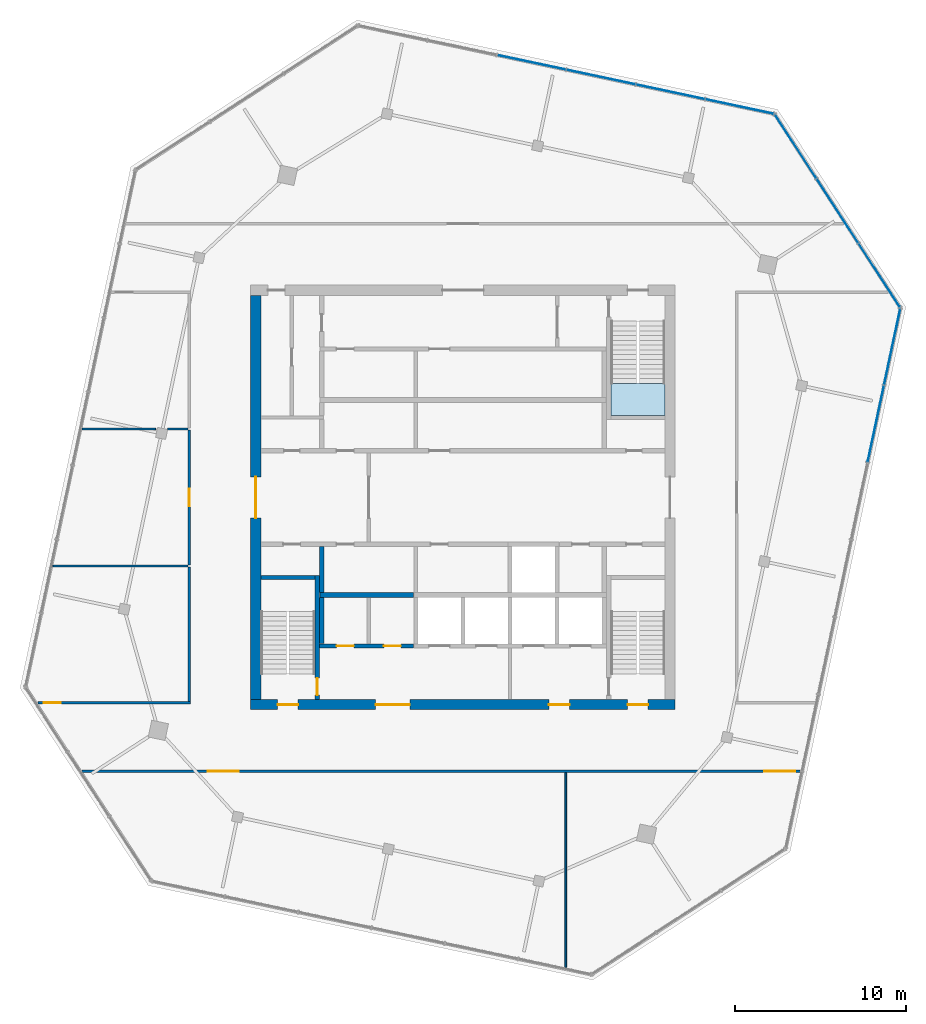
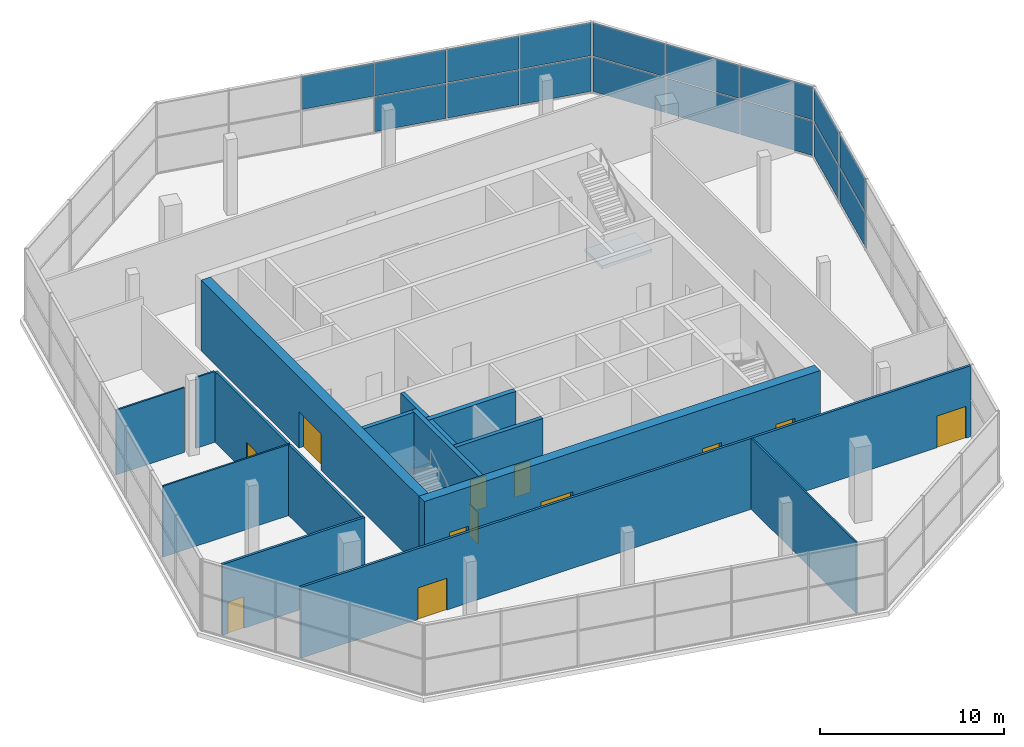
# One storey, part 8 of 11: 17 plates, 16 walls, 12 doors, 1 slab, 12 openings, 4 elements without a shape of their own.
"""IFC4 building model written with IfcOpenShell, lengths in metres."""

import ifcopenshell
import ifcopenshell.guid

model = None  # the IFC model being written
_history = None  # IfcOwnerHistory: only IFC2X3 demands one
_inside = {}  # id of a spatial element -> (the spatial element, [elements in it])
_under = {}  # id of a project, library or spatial element -> (it, [spatial elements below it])
_declared = {}  # id of a project -> (the project, [libraries it declares])
_typed = {}  # id of a type object -> (the type object, [elements of that type])
_made_of = {}  # id of a material, layer set ... -> (it, [elements and type objects made of it])


def new_model(schema):
    """Start an empty IFC model of exactly this schema.

    Asked for "IFC4X3", IfcOpenShell would pick the latest addendum, in which some entities
    have other attributes; the version numbers below select the first issue.
    IFC2X3 requires an IfcOwnerHistory on every rooted entity: one is made here for all.
    """
    global model, _history
    if schema == "IFC4X3":
        model = ifcopenshell.file(schema_version=(4, 3, 0, 0))
    else:
        model = ifcopenshell.file(schema=schema)
    _inside.clear()
    _under.clear()
    _declared.clear()
    _typed.clear()
    _made_of.clear()
    _history = None
    if model.schema == "IFC2X3":
        org = make("IfcOrganization", Name="unknown")
        user = make(
            "IfcPersonAndOrganization",
            ThePerson=make("IfcPerson", FamilyName="unknown"),
            TheOrganization=org,
        )
        app = make(
            "IfcApplication",
            ApplicationDeveloper=org,
            Version="unknown",
            ApplicationFullName="unknown",
            ApplicationIdentifier="unknown",
        )
        _history = make(
            "IfcOwnerHistory",
            OwningUser=user,
            OwningApplication=app,
            ChangeAction="ADDED",
            CreationDate=0,
        )
    return model


def make(cls, **values):
    """One entity of the class cls with the attributes given. An attribute that is None is left unset."""
    return model.create_entity(
        cls, **{name: value for name, value in values.items() if value is not None}
    )


def rooted(cls, **values):
    """An entity with a GlobalId (a new one), such as an element, a storey or a relation."""
    return make(cls, GlobalId=ifcopenshell.guid.new(), OwnerHistory=_history, **values)


def si_unit(unit_type, name, prefix=None):
    """IfcSIUnit, for example si_unit("LENGTHUNIT", "METRE", prefix="MILLI")."""
    return make("IfcSIUnit", UnitType=unit_type, Prefix=prefix, Name=name)


def assignment(units):
    """IfcUnitAssignment: the units of a project."""
    return None if units is None else make("IfcUnitAssignment", Units=units)


def point(xyz):
    """IfcCartesianPoint."""
    return None if xyz is None else make("IfcCartesianPoint", Coordinates=xyz)


def direction(xyz):
    """IfcDirection."""
    return None if xyz is None else make("IfcDirection", DirectionRatios=xyz)


def frame(location, z_axis=None, x_axis=None):
    """IfcAxis2Placement3D, a coordinate frame: its origin and axes. An axis left out is left unset."""
    return make(
        "IfcAxis2Placement3D",
        Location=point(location),
        Axis=direction(z_axis),
        RefDirection=direction(x_axis),
    )


def frame_2d(location, x_axis=None):
    """IfcAxis2Placement2D, a coordinate frame in the plane: its origin and x axis."""
    return make(
        "IfcAxis2Placement2D", Location=point(location), RefDirection=direction(x_axis)
    )


def origin():
    """The frame at (0, 0, 0) with its axes left unset."""
    return frame((0.0, 0.0, 0.0))


def origin_2d():
    """The frame at (0, 0) in the plane with its x axis left unset."""
    return frame_2d((0.0, 0.0))


def place(relative_to, where):
    """IfcLocalPlacement: puts the frame where relative to a parent placement (None: the world)."""
    return make(
        "IfcLocalPlacement", PlacementRelTo=relative_to, RelativePlacement=where
    )


def context(
    kind, dimensions, precision=None, world=None, true_north=None, identifier=None
):
    """IfcGeometricRepresentationContext, for example the 3D "Model" context."""
    return make(
        "IfcGeometricRepresentationContext",
        ContextIdentifier=identifier,
        ContextType=kind,
        CoordinateSpaceDimension=dimensions,
        Precision=precision,
        WorldCoordinateSystem=world,
        TrueNorth=true_north,
    )


def subcontext(parent, identifier, kind, view, scale=None):
    """IfcGeometricRepresentationSubContext, for example "Body" below "Model"."""
    return make(
        "IfcGeometricRepresentationSubContext",
        ContextIdentifier=identifier,
        ContextType=kind,
        ParentContext=parent,
        TargetScale=scale,
        TargetView=view,
    )


def project(units=None, contexts=None):
    """IfcProject with its units and contexts."""
    return rooted(
        "IfcProject",
        Name="project",
        RepresentationContexts=contexts,
        UnitsInContext=assignment(units),
    )


def spatial(cls, under=None, at=None, **own):
    """A site, building, storey or space (cls), placed at a placement, below another one or the project."""
    s = rooted(cls, ObjectPlacement=at, **own)
    if under is not None:
        _under.setdefault(under.id(), (under, []))[1].append(s)
    return s


def polyline(points):
    """IfcPolyline through the points."""
    return make("IfcPolyline", Points=[point(p) for p in points])


def profile(cls, at=None, kind="AREA", **sizes):
    """A parametric profile (cls). Its sizes go by their IFC names, for example OverallWidth=200.0."""
    return make(cls, ProfileType=kind, Position=at, **sizes)


def rectangle(**sizes):
    """IfcRectangleProfileDef."""
    return profile("IfcRectangleProfileDef", **sizes)


def outline(outer, holes=None, kind="AREA"):
    """IfcArbitraryClosedProfileDef: a profile drawn as a closed curve; with holes, ...WithVoids."""
    if holes is None:
        return make("IfcArbitraryClosedProfileDef", ProfileType=kind, OuterCurve=outer)
    return make(
        "IfcArbitraryProfileDefWithVoids",
        ProfileType=kind,
        OuterCurve=outer,
        InnerCurves=holes,
    )


def extrude(swept, where, along, depth):
    """IfcExtrudedAreaSolid: the profile swept, set in the frame where, extruded along a direction by depth."""
    return make(
        "IfcExtrudedAreaSolid",
        SweptArea=swept,
        Position=where,
        ExtrudedDirection=direction(along),
        Depth=depth,
    )


def shape(context_of_items, identifier, shape_type, items):
    """IfcShapeRepresentation: the items that make up one representation, for example the "Body"."""
    return make(
        "IfcShapeRepresentation",
        ContextOfItems=context_of_items,
        RepresentationIdentifier=identifier,
        RepresentationType=shape_type,
        Items=items,
    )


def material(Name=None, Category=None):
    """IfcMaterial."""
    return make("IfcMaterial", Name=Name, Category=Category)


def layer(
    of_material, thickness, ventilated=None, Name=None, Category=None, Priority=None
):
    """IfcMaterialLayer: one layer of a wall or slab, of a material (None: an air gap)."""
    return make(
        "IfcMaterialLayer",
        Material=of_material,
        LayerThickness=thickness,
        IsVentilated=ventilated,
        Name=Name,
        Category=Category,
        Priority=Priority,
    )


def layer_set(layers, Name=None):
    """IfcMaterialLayerSet."""
    return make("IfcMaterialLayerSet", MaterialLayers=layers, LayerSetName=Name)


def made_of(thing, what):
    """Note that an element or type object is made of a material, layer set ...; save() writes the relation."""
    if what is not None:
        _made_of.setdefault(what.id(), (what, []))[1].append(thing)
    return thing


def type_object(cls, material=None, **own):
    """A type object (cls), such as IfcWallType, which elements share."""
    return made_of(rooted(cls, **own), material)


def element(
    cls,
    number,
    at=None,
    inside=None,
    cuts=None,
    type_object=None,
    material=None,
    context=None,
    identifier="Body",
    shape_type=None,
    held_by="IfcProductDefinitionShape",
    body=None,
    shapes=None,
    **own,
):
    """One element of the class cls, such as IfcWall. Its Tag is "e" and its number.

    at: its placement. inside: the storey or other place that contains it. cuts: it is an
    opening in that element (IfcRelVoidsElement). A single representation is given by context,
    identifier, shape_type and body (its items); several are given by shapes. held_by: the class
    of the entity that holds the representations. save() writes the other relations.
    """
    e = rooted(cls, Tag="e%d" % number, ObjectPlacement=at, **own)
    if body is not None:
        shapes = [shape(context, identifier, shape_type, body)]
    if shapes is not None:
        e.Representation = make(held_by, Representations=shapes)
    if inside is not None:
        _inside.setdefault(inside.id(), (inside, []))[1].append(e)
    if cuts is not None:
        rooted(
            "IfcRelVoidsElement", RelatingBuildingElement=cuts, RelatedOpeningElement=e
        )
    if type_object is not None:
        _typed.setdefault(type_object.id(), (type_object, []))[1].append(e)
    return made_of(e, material)


def fill(opening, filler):
    """IfcRelFillsElement: the door or window that sits in an opening."""
    return rooted(
        "IfcRelFillsElement",
        RelatingOpeningElement=opening,
        RelatedBuildingElement=filler,
    )


def aggregate(whole, parts):
    """IfcRelAggregates: a whole, such as a stair, and the parts it consists of."""
    return rooted("IfcRelAggregates", RelatingObject=whole, RelatedObjects=parts)


def save(model, path):
    """Write the relations noted so far, then the file.

    IfcRelAggregates (storeys below a building ...), IfcRelContainedInSpatialStructure (elements
    in a storey), IfcRelDefinesByType, IfcRelAssociatesMaterial and IfcRelDeclares: one each for
    every whole, place, type object, material and project.
    """
    for whole, parts in _under.values():
        aggregate(whole, parts)
    for where, things in _inside.values():
        rooted(
            "IfcRelContainedInSpatialStructure",
            RelatedElements=things,
            RelatingStructure=where,
        )
    for kind, things in _typed.values():
        rooted("IfcRelDefinesByType", RelatedObjects=things, RelatingType=kind)
    for what, things in _made_of.values():
        rooted("IfcRelAssociatesMaterial", RelatedObjects=things, RelatingMaterial=what)
    for by, libraries in _declared.values():
        rooted("IfcRelDeclares", RelatingContext=by, RelatedDefinitions=libraries)
    model.write(path)


model = new_model("IFC4")

# Units and contexts
model_context = context("Model", 3, precision=1e-05, world=origin(), true_north=direction((0.0, 1.0)))
body_context = subcontext(model_context, "Body", "Model", "MODEL_VIEW")
ifc_project = project(units=[si_unit("LENGTHUNIT", "METRE"), si_unit("AREAUNIT", "SQUARE_METRE"), si_unit("VOLUMEUNIT", "CUBIC_METRE"), si_unit("PLANEANGLEUNIT", "RADIAN"), si_unit("MASSUNIT", "GRAM", prefix="KILO")], contexts=[model_context])

# Site, building, storey
site_placement = place(None, origin())
site = spatial("IfcSite", under=ifc_project, at=site_placement, CompositionType="ELEMENT")
building_placement = place(site_placement, origin())
building = spatial("IfcBuilding", under=site, at=building_placement, Name="Dilmun Exchange Tower", CompositionType="ELEMENT")
storey_placement = place(building_placement, frame((0.0, 0.0, 363.10009765625)))
storey = spatial("IfcBuildingStorey", under=building, at=storey_placement, Name="Crown L85", CompositionType="ELEMENT", Elevation=363.10009765625)

# Stair, slab
ifc_material_1 = material(Name="Concrete C40/50", Category="concrete")
stair_type = type_object("IfcStairType", Name="Exit stair 1500 half-turn", PredefinedType="HALF_TURN_STAIR", material=ifc_material_1)
stair_placement = place(storey_placement, origin())
stair = element("IfcStair", 1, at=stair_placement, inside=storey, type_object=stair_type, Name="Crown L85 Protected exit stair ST1", PredefinedType="HALF_TURN_STAIR")
ifc_layer_1 = layer(ifc_material_1, 0.199951171875)
ifc_layer_set_1 = layer_set([ifc_layer_1], Name="Concrete C40/50")
slab_type = type_object("IfcSlabType", Name="Exit stair landing 200", PredefinedType="LANDING", material=ifc_layer_set_1)
slab_placement = place(storey_placement, frame((0.0, 0.0, 2.2998046875)))
slab = element("IfcSlab", 2, at=slab_placement, type_object=slab_type, Name="ST1 landing 1", PredefinedType="LANDING", context=body_context, shape_type="SweptSolid", body=[
    extrude(outline(polyline([(8.64990234375, 6.659912109375), (8.64990234375, 4.800048828125), (11.800048828125, 4.800048828125), (11.800048828125, 6.659912109375), (8.64990234375, 6.659912109375)])), origin(), (0.0, 0.0, 1.0), 0.2001953125),
])
aggregate(stair, [slab])

# Curtain wall, plates
ifc_material_2 = material(Name="Anodised aluminium and clear glass", Category="aluminium")
curtain_wall_type = type_object("IfcCurtainWallType", Name="Sky garden glazing", PredefinedType="NOTDEFINED", material=ifc_material_2)
curtain_wall_1_placement = place(storey_placement, origin())
curtain_wall_1 = element("IfcCurtainWall", 3, at=curtain_wall_1_placement, inside=storey, type_object=curtain_wall_type, Name="Sky garden glazing run SG3", PredefinedType="NOTDEFINED")
ifc_material_3 = material(Name="Clear glass", Category="glass")
ifc_layer_2 = layer(ifc_material_3, 0.031982421875)
ifc_layer_set_2 = layer_set([ifc_layer_2], Name="Clear glass")
plate_type = type_object("IfcPlateType", Name="Sky garden glazing glass panel 32", PredefinedType="CURTAIN_PANEL", material=ifc_layer_set_2)
plate_1_placement = place(storey_placement, frame((24.122314453125, 4.30615234375, 0.06982421875), z_axis=(0.0, 0.0, 1.0), x_axis=(0.207913452722, 0.978147226228, 0.0)))
plate_1 = element("IfcPlate", 4, at=plate_1_placement, type_object=plate_type, Name="SG3 panel 6.1", PredefinedType="CURTAIN_PANEL", context=body_context, shape_type="SweptSolid", body=[
    extrude(rectangle(XDim=4.543701171875, YDim=0.031982421875, at=origin_2d()), origin(), (0.0, 0.0, 1.0), 2.294921875),
])
plate_2_placement = place(storey_placement, frame((24.122314453125, 4.30615234375, 2.43505859375), z_axis=(0.0, 0.0, 1.0), x_axis=(0.207913452722, 0.978147226228, 0.0)))
plate_2 = element("IfcPlate", 5, at=plate_2_placement, type_object=plate_type, Name="SG3 panel 6.2", PredefinedType="CURTAIN_PANEL", context=body_context, shape_type="SweptSolid", body=[
    extrude(rectangle(XDim=4.543701171875, YDim=0.031982421875, at=origin_2d()), origin(), (0.0, 0.0, 1.0), 2.195068359375),
])
plate_3_placement = place(storey_placement, frame((25.078125, 8.8017578125, 0.06982421875), z_axis=(0.0, 0.0, 1.0), x_axis=(0.207913452722, 0.978147226228, 0.0)))
plate_3 = element("IfcPlate", 6, at=plate_3_placement, type_object=plate_type, Name="SG3 panel 7.1", PredefinedType="CURTAIN_PANEL", context=body_context, shape_type="SweptSolid", body=[
    extrude(rectangle(XDim=4.508544921875, YDim=0.031982421875, at=origin_2d()), origin(), (0.0, 0.0, 1.0), 2.294921875),
])
plate_4_placement = place(storey_placement, frame((25.078125, 8.8017578125, 2.43505859375), z_axis=(0.0, 0.0, 1.0), x_axis=(0.207913452722, 0.978147226228, 0.0)))
plate_4 = element("IfcPlate", 7, at=plate_4_placement, type_object=plate_type, Name="SG3 panel 7.2", PredefinedType="CURTAIN_PANEL", context=body_context, shape_type="SweptSolid", body=[
    extrude(rectangle(XDim=4.508544921875, YDim=0.031982421875, at=origin_2d()), origin(), (0.0, 0.0, 1.0), 2.195068359375),
])
aggregate(curtain_wall_1, [plate_1, plate_2, plate_3, plate_4])

curtain_wall_2_placement = place(storey_placement, origin())
curtain_wall_2 = element("IfcCurtainWall", 8, at=curtain_wall_2_placement, inside=storey, type_object=curtain_wall_type, Name="Sky garden glazing run SG4", PredefinedType="NOTDEFINED")
plate_5_placement = place(storey_placement, frame((24.325439453125, 12.978271484375, 0.06982421875), z_axis=(0.0, 0.0, 1.0), x_axis=(-0.544644325751, 0.838667132077, 0.0)))
plate_5 = element("IfcPlate", 9, at=plate_5_placement, type_object=plate_type, Name="SG4 panel 1.1", PredefinedType="CURTAIN_PANEL", context=body_context, shape_type="SweptSolid", body=[
    extrude(rectangle(XDim=4.39794921875, YDim=0.031982421875, at=origin_2d()), origin(), (0.0, 0.0, 1.0), 2.294921875),
])
plate_6_placement = place(storey_placement, frame((24.325439453125, 12.978271484375, 2.43505859375), z_axis=(0.0, 0.0, 1.0), x_axis=(-0.544644325751, 0.838667132077, 0.0)))
plate_6 = element("IfcPlate", 10, at=plate_6_placement, type_object=plate_type, Name="SG4 panel 1.2", PredefinedType="CURTAIN_PANEL", context=body_context, shape_type="SweptSolid", body=[
    extrude(rectangle(XDim=4.39794921875, YDim=0.031982421875, at=origin_2d()), origin(), (0.0, 0.0, 1.0), 2.195068359375),
])
plate_7_placement = place(storey_placement, frame((21.882568359375, 16.739990234375, 0.06982421875), z_axis=(0.0, 0.0, 1.0), x_axis=(-0.544644325751, 0.838667132077, 0.0)))
plate_7 = element("IfcPlate", 11, at=plate_7_placement, type_object=plate_type, Name="SG4 panel 2.1", PredefinedType="CURTAIN_PANEL", context=body_context, shape_type="SweptSolid", body=[
    extrude(rectangle(XDim=4.432861328125, YDim=0.031982421875, at=origin_2d()), origin(), (0.0, 0.0, 1.0), 2.294921875),
])
plate_8_placement = place(storey_placement, frame((21.882568359375, 16.739990234375, 2.43505859375), z_axis=(0.0, 0.0, 1.0), x_axis=(-0.544644325751, 0.838667132077, 0.0)))
plate_8 = element("IfcPlate", 12, at=plate_8_placement, type_object=plate_type, Name="SG4 panel 2.2", PredefinedType="CURTAIN_PANEL", context=body_context, shape_type="SweptSolid", body=[
    extrude(rectangle(XDim=4.432861328125, YDim=0.031982421875, at=origin_2d()), origin(), (0.0, 0.0, 1.0), 2.195068359375),
])
plate_9_placement = place(storey_placement, frame((19.439697265625, 20.501953125, 0.06982421875), z_axis=(0.0, 0.0, 1.0), x_axis=(-0.544644325751, 0.838667132077, 0.0)))
plate_9 = element("IfcPlate", 13, at=plate_9_placement, type_object=plate_type, Name="SG4 panel 3.1", PredefinedType="CURTAIN_PANEL", context=body_context, shape_type="SweptSolid", body=[
    extrude(rectangle(XDim=4.39794921875, YDim=0.031982421875, at=origin_2d()), origin(), (0.0, 0.0, 1.0), 2.294921875),
])
plate_10_placement = place(storey_placement, frame((19.439697265625, 20.501953125, 2.43505859375), z_axis=(0.0, 0.0, 1.0), x_axis=(-0.544644325751, 0.838667132077, 0.0)))
plate_10 = element("IfcPlate", 14, at=plate_10_placement, type_object=plate_type, Name="SG4 panel 3.2", PredefinedType="CURTAIN_PANEL", context=body_context, shape_type="SweptSolid", body=[
    extrude(rectangle(XDim=4.39794921875, YDim=0.031982421875, at=origin_2d()), origin(), (0.0, 0.0, 1.0), 2.195068359375),
])
aggregate(curtain_wall_2, [plate_5, plate_6, plate_7, plate_8, plate_9, plate_10])

curtain_wall_3_placement = place(storey_placement, origin())
curtain_wall_3 = element("IfcCurtainWall", 15, at=curtain_wall_3_placement, inside=storey, type_object=curtain_wall_type, Name="Sky garden glazing run SG5", PredefinedType="NOTDEFINED")
plate_11_placement = place(storey_placement, frame((16.158447265625, 22.839599609375, 0.06982421875), z_axis=(0.0, 0.0, 1.0), x_axis=(-0.978147909945, 0.207910236087, 0.0)))
plate_11 = element("IfcPlate", 16, at=plate_11_placement, type_object=plate_type, Name="SG5 panel 1.1", PredefinedType="CURTAIN_PANEL", context=body_context, shape_type="SweptSolid", body=[
    extrude(rectangle(XDim=4.0419921875, YDim=0.031982421875, at=origin_2d()), origin(), (0.0, 0.0, 1.0), 2.294921875),
])
plate_12_placement = place(storey_placement, frame((16.158447265625, 22.839599609375, 2.43505859375), z_axis=(0.0, 0.0, 1.0), x_axis=(-0.978147909945, 0.207910236087, 0.0)))
plate_12 = element("IfcPlate", 17, at=plate_12_placement, type_object=plate_type, Name="SG5 panel 1.2", PredefinedType="CURTAIN_PANEL", context=body_context, shape_type="SweptSolid", body=[
    extrude(rectangle(XDim=4.0419921875, YDim=0.031982421875, at=origin_2d()), origin(), (0.0, 0.0, 1.0), 2.195068359375),
])
plate_13_placement = place(storey_placement, frame((12.119384765625, 23.697998046875, 0.06982421875), z_axis=(0.0, 0.0, 1.0), x_axis=(-0.978147909945, 0.207910236087, 0.0)))
plate_13 = element("IfcPlate", 18, at=plate_13_placement, type_object=plate_type, Name="SG5 panel 2.1", PredefinedType="CURTAIN_PANEL", context=body_context, shape_type="SweptSolid", body=[
    extrude(rectangle(XDim=4.076904296875, YDim=0.031982421875, at=origin_2d()), origin(), (0.0, 0.0, 1.0), 2.294921875),
])
plate_14_placement = place(storey_placement, frame((12.119384765625, 23.697998046875, 2.43505859375), z_axis=(0.0, 0.0, 1.0), x_axis=(-0.978147909945, 0.207910236087, 0.0)))
plate_14 = element("IfcPlate", 19, at=plate_14_placement, type_object=plate_type, Name="SG5 panel 2.2", PredefinedType="CURTAIN_PANEL", context=body_context, shape_type="SweptSolid", body=[
    extrude(rectangle(XDim=4.076904296875, YDim=0.031982421875, at=origin_2d()), origin(), (0.0, 0.0, 1.0), 2.195068359375),
])
plate_15_placement = place(storey_placement, frame((8.06298828125, 24.560302734375, 0.06982421875), z_axis=(0.0, 0.0, 1.0), x_axis=(-0.978147909945, 0.207910236087, 0.0)))
plate_15 = element("IfcPlate", 20, at=plate_15_placement, type_object=plate_type, Name="SG5 panel 3.1", PredefinedType="CURTAIN_PANEL", context=body_context, shape_type="SweptSolid", body=[
    extrude(rectangle(XDim=4.076904296875, YDim=0.031982421875, at=origin_2d()), origin(), (0.0, 0.0, 1.0), 2.294921875),
])
plate_16_placement = place(storey_placement, frame((8.06298828125, 24.560302734375, 2.43505859375), z_axis=(0.0, 0.0, 1.0), x_axis=(-0.978147909945, 0.207910236087, 0.0)))
plate_16 = element("IfcPlate", 21, at=plate_16_placement, type_object=plate_type, Name="SG5 panel 3.2", PredefinedType="CURTAIN_PANEL", context=body_context, shape_type="SweptSolid", body=[
    extrude(rectangle(XDim=4.076904296875, YDim=0.031982421875, at=origin_2d()), origin(), (0.0, 0.0, 1.0), 2.195068359375),
])
plate_17_placement = place(storey_placement, frame((4.0068359375, 25.42236328125, 2.43505859375), z_axis=(0.0, 0.0, 1.0), x_axis=(-0.978147909945, 0.207910236087, 0.0)))
plate_17 = element("IfcPlate", 22, at=plate_17_placement, type_object=plate_type, Name="SG5 panel 4.2", PredefinedType="CURTAIN_PANEL", context=body_context, shape_type="SweptSolid", body=[
    extrude(rectangle(XDim=4.076904296875, YDim=0.031982421875, at=origin_2d()), origin(), (0.0, 0.0, 1.0), 2.195068359375),
])
aggregate(curtain_wall_3, [plate_11, plate_12, plate_13, plate_14, plate_15, plate_16, plate_17])

# Wall, openings, doors
ifc_layer_3 = layer(ifc_material_1, 0.25)
ifc_layer_set_3 = layer_set([ifc_layer_3], Name="Concrete C40/50")
wall_type_1 = type_object("IfcWallType", Name="Core partition wall 250", PredefinedType="PARTITIONING", material=ifc_layer_set_3)
wall_1_placement = place(storey_placement, frame((-8.3701171875, -8.675048828125, 0.0), z_axis=(0.0, 0.0, 1.0), x_axis=(1.0, 0.0, 0.0)))
wall_1 = element("IfcWall", 23, at=wall_1_placement, inside=storey, type_object=wall_type_1, Name="Crown L85 core partition wall 02", PredefinedType="PARTITIONING", context=body_context, shape_type="SweptSolid", body=[
    extrude(rectangle(XDim=5.490234375, YDim=0.25, at=frame_2d((2.7451171875, 0.0))), origin(), (0.0, 0.0, 1.0), 4.699951171875),
])
opening_1_placement = place(wall_1_placement, frame((0.9951171875, 0.0, 0.0)))
opening_1 = element("IfcOpeningElement", 24, at=opening_1_placement, cuts=wall_1, Name="Opening CD4", PredefinedType="OPENING", context=body_context, shape_type="SweptSolid", body=[
    extrude(rectangle(XDim=1.0, YDim=2.10009765625, at=frame_2d((0.5, 1.050048828125))), frame((0.0, 0.135009765625, 0.0), z_axis=(0.0, -1.0, 0.0), x_axis=(1.0, 0.0, 0.0)), (0.0, 0.0, 1.0), 0.27001953125),
])
opening_2_placement = place(wall_1_placement, frame((3.7451171875, 0.0, 0.0)))
opening_2 = element("IfcOpeningElement", 25, at=opening_2_placement, cuts=wall_1, Name="Opening CD4", PredefinedType="OPENING", context=body_context, shape_type="SweptSolid", body=[
    extrude(rectangle(XDim=1.0, YDim=2.10009765625, at=frame_2d((0.5, 1.050048828125))), frame((0.0, 0.135009765625, 0.0), z_axis=(0.0, -1.0, 0.0), x_axis=(1.0, 0.0, 0.0)), (0.0, 0.0, 1.0), 0.27001953125),
])
ifc_material_4 = material(Name="Fire-rated steel door set", Category="steel")
door_type_1 = type_object("IfcDoorType", Name="Core room door 1000x2100", OperationType="SINGLE_SWING_LEFT", PredefinedType="DOOR", material=ifc_material_4)
door_1_placement = place(opening_1_placement, origin())
door_1 = element("IfcDoor", 26, at=door_1_placement, inside=storey, type_object=door_type_1, Name="Crown L85 door Male WC", OperationType="SINGLE_SWING_RIGHT", OverallHeight=2.10009765625, OverallWidth=1.0, PredefinedType="DOOR", context=body_context, shape_type="SweptSolid", body=[
    extrude(rectangle(XDim=1.0, YDim=2.10009765625, at=frame_2d((0.5, 1.050048828125))), frame((0.0, 0.02490234375, 0.0), z_axis=(0.0, -1.0, 0.0), x_axis=(1.0, 0.0, 0.0)), (0.0, 0.0, 1.0), 0.050048828125),
])
fill(opening_1, door_1)
door_2_placement = place(opening_2_placement, origin())
door_2 = element("IfcDoor", 27, at=door_2_placement, inside=storey, type_object=door_type_1, Name="Crown L85 door Female WC", OperationType="SINGLE_SWING_RIGHT", OverallHeight=2.10009765625, OverallWidth=1.0, PredefinedType="DOOR", context=body_context, shape_type="SweptSolid", body=[
    extrude(rectangle(XDim=1.0, YDim=2.10009765625, at=frame_2d((0.5, 1.050048828125))), frame((0.0, 0.02490234375, 0.0), z_axis=(0.0, -1.0, 0.0), x_axis=(1.0, 0.0, 0.0)), (0.0, 0.0, 1.0), 0.050048828125),
])
fill(opening_2, door_2)

# Walls
for number, where, z_axis, x_axis, name in (
    (28, (-8.25, -8.544921875, 0.0), (0.0, 0.0, 1.0), (0.0, 1.0, 0.0), "Crown L85 core partition wall 03"),
    (29, (-8.25, -5.544921875, 0.0), (0.0, 0.0, 1.0), (0.0, 1.0, 0.0), "Crown L85 core partition wall 06"),
):
    element("IfcWall", number, at=place(storey_placement, frame(where, z_axis=z_axis, x_axis=x_axis)), inside=storey, type_object=wall_type_1, Name=name, PredefinedType="PARTITIONING", context=body_context, shape_type="SweptSolid", body=[
        extrude(rectangle(XDim=2.68994140625, YDim=0.25, at=frame_2d((1.344970703125, 0.0))), origin(), (0.0, 0.0, 1.0), 4.699951171875),
    ])
ifc_layer_4 = layer(ifc_material_1, 0.300048828125)
ifc_layer_set_4 = layer_set([ifc_layer_4], Name="Concrete C40/50")
wall_type_2 = type_object("IfcWallType", Name="Core partition wall 300", PredefinedType="PARTITIONING", material=ifc_layer_set_4)
wall_2_placement = place(storey_placement, frame((-8.35009765625, -5.699951171875, 0.0), z_axis=(0.0, 0.0, 1.0), x_axis=(1.0, 0.0, 0.0)))
element("IfcWall", 30, at=wall_2_placement, inside=storey, type_object=wall_type_2, Name="Crown L85 core partition wall 05", PredefinedType="PARTITIONING", context=body_context, shape_type="SweptSolid", body=[
    extrude(rectangle(XDim=5.47021484375, YDim=0.300048828125, at=frame_2d((2.735107421875, 0.0))), origin(), (0.0, 0.0, 1.0), 4.699951171875),
])

# Wall, openings, doors
ifc_material_5 = material(Name="Concrete C50/60", Category="concrete")
ifc_layer_5 = layer(ifc_material_5, 0.60009765625)
ifc_layer_set_5 = layer_set([ifc_layer_5], Name="Concrete C50/60")
wall_type_3 = type_object("IfcWallType", Name="Core shear wall 600 Concrete C50/60", PredefinedType="SHEAR", material=ifc_layer_set_5)
wall_3_placement = place(storey_placement, frame((-12.39990234375, -12.10009765625, 0.0), z_axis=(0.0, 0.0, 1.0), x_axis=(1.0, 0.0, 0.0)))
wall_3 = element("IfcWall", 31, at=wall_3_placement, inside=storey, type_object=wall_type_3, Name="Crown L85 core shear wall S", PredefinedType="SHEAR", context=body_context, shape_type="SweptSolid", body=[
    extrude(rectangle(XDim=24.7998046875, YDim=0.60009765625, at=frame_2d((12.39990234375, 0.0))), origin(), (0.0, 0.0, 1.0), 4.699951171875),
])
opening_3_placement = place(wall_3_placement, frame((7.300048828125, 0.0, 0.0)))
opening_3 = element("IfcOpeningElement", 32, at=opening_3_placement, cuts=wall_3, Name="Opening CD2", PredefinedType="OPENING", context=body_context, shape_type="SweptSolid", body=[
    extrude(rectangle(XDim=2.0, YDim=2.10009765625, at=frame_2d((1.0, 1.050048828125))), frame((0.0, 0.31005859375, 0.0), z_axis=(0.0, -1.0, 0.0), x_axis=(1.0, 0.0, 0.0)), (0.0, 0.0, 1.0), 0.6201171875),
])
opening_4_placement = place(wall_3_placement, frame((17.425048828125, 0.0, 0.0)))
opening_4 = element("IfcOpeningElement", 33, at=opening_4_placement, cuts=wall_3, Name="Opening CD3", PredefinedType="OPENING", context=body_context, shape_type="SweptSolid", body=[
    extrude(rectangle(XDim=1.199951171875, YDim=2.10009765625, at=frame_2d((0.60009765625, 1.050048828125))), frame((0.0, 0.31005859375, 0.0), z_axis=(0.0, -1.0, 0.0), x_axis=(1.0, 0.0, 0.0)), (0.0, 0.0, 1.0), 0.6201171875),
])
opening_5_placement = place(wall_3_placement, frame((1.574951171875, 0.0, 0.0)))
opening_5 = element("IfcOpeningElement", 34, at=opening_5_placement, cuts=wall_3, Name="Opening CD3", PredefinedType="OPENING", context=body_context, shape_type="SweptSolid", body=[
    extrude(rectangle(XDim=1.199951171875, YDim=2.10009765625, at=frame_2d((0.60009765625, 1.050048828125))), frame((0.0, 0.31005859375, 0.0), z_axis=(0.0, -1.0, 0.0), x_axis=(1.0, 0.0, 0.0)), (0.0, 0.0, 1.0), 0.6201171875),
])
opening_6_placement = place(wall_3_placement, frame((22.02490234375, 0.0, 0.0)))
opening_6 = element("IfcOpeningElement", 35, at=opening_6_placement, cuts=wall_3, Name="Opening CD3", PredefinedType="OPENING", context=body_context, shape_type="SweptSolid", body=[
    extrude(rectangle(XDim=1.199951171875, YDim=2.10009765625, at=frame_2d((0.60009765625, 1.050048828125))), frame((0.0, 0.31005859375, 0.0), z_axis=(0.0, -1.0, 0.0), x_axis=(1.0, 0.0, 0.0)), (0.0, 0.0, 1.0), 0.6201171875),
])
door_type_2 = type_object("IfcDoorType", Name="Core service door 2000x2100", OperationType="DOUBLE_DOOR_DOUBLE_SWING", PredefinedType="DOOR", material=ifc_material_4)
door_3_placement = place(opening_3_placement, origin())
door_3 = element("IfcDoor", 36, at=door_3_placement, inside=storey, type_object=door_type_2, Name="Crown L85 door South service lobby", OperationType="SINGLE_SWING_LEFT", OverallHeight=2.10009765625, OverallWidth=2.0, PredefinedType="DOOR", context=body_context, shape_type="SweptSolid", body=[
    extrude(rectangle(XDim=2.0, YDim=2.10009765625, at=frame_2d((1.0, 1.050048828125))), frame((0.0, 0.02490234375, 0.0), z_axis=(0.0, -1.0, 0.0), x_axis=(1.0, 0.0, 0.0)), (0.0, 0.0, 1.0), 0.050048828125),
])
fill(opening_3, door_3)
door_type_3 = type_object("IfcDoorType", Name="Stair exit door 1200x2100", OperationType="SINGLE_SWING_LEFT", PredefinedType="DOOR", material=ifc_material_4)
door_4_placement = place(opening_4_placement, origin())
door_4 = element("IfcDoor", 37, at=door_4_placement, inside=storey, type_object=door_type_3, Name="Crown L85 door Fire-fighting lobby", OperationType="SINGLE_SWING_LEFT", OverallHeight=2.10009765625, OverallWidth=1.199951171875, PredefinedType="DOOR", context=body_context, shape_type="SweptSolid", body=[
    extrude(rectangle(XDim=1.199951171875, YDim=2.10009765625, at=frame_2d((0.60009765625, 1.050048828125))), frame((0.0, 0.02490234375, 0.0), z_axis=(0.0, -1.0, 0.0), x_axis=(1.0, 0.0, 0.0)), (0.0, 0.0, 1.0), 0.050048828125),
])
fill(opening_4, door_4)
door_5_placement = place(opening_5_placement, origin())
door_5 = element("IfcDoor", 38, at=door_5_placement, inside=storey, type_object=door_type_3, Name="Crown L85 door Stair ST2", OperationType="SINGLE_SWING_LEFT", OverallHeight=2.10009765625, OverallWidth=1.199951171875, PredefinedType="DOOR", context=body_context, shape_type="SweptSolid", body=[
    extrude(rectangle(XDim=1.199951171875, YDim=2.10009765625, at=frame_2d((0.60009765625, 1.050048828125))), frame((0.0, 0.02490234375, 0.0), z_axis=(0.0, -1.0, 0.0), x_axis=(1.0, 0.0, 0.0)), (0.0, 0.0, 1.0), 0.050048828125),
])
fill(opening_5, door_5)
door_6_placement = place(opening_6_placement, origin())
door_6 = element("IfcDoor", 39, at=door_6_placement, inside=storey, type_object=door_type_3, Name="Crown L85 door Stair ST3", OperationType="SINGLE_SWING_LEFT", OverallHeight=2.10009765625, OverallWidth=1.199951171875, PredefinedType="DOOR", context=body_context, shape_type="SweptSolid", body=[
    extrude(rectangle(XDim=1.199951171875, YDim=2.10009765625, at=frame_2d((0.60009765625, 1.050048828125))), frame((0.0, 0.02490234375, 0.0), z_axis=(0.0, -1.0, 0.0), x_axis=(1.0, 0.0, 0.0)), (0.0, 0.0, 1.0), 0.050048828125),
])
fill(opening_6, door_6)

# Wall, opening, door
wall_4_placement = place(storey_placement, frame((-12.10009765625, -11.800048828125, 0.0), z_axis=(0.0, 0.0, 1.0), x_axis=(0.0, 1.0, 0.0)))
wall_4 = element("IfcWall", 40, at=wall_4_placement, inside=storey, type_object=wall_type_3, Name="Crown L85 core shear wall W", PredefinedType="SHEAR", context=body_context, shape_type="SweptSolid", body=[
    extrude(rectangle(XDim=23.60009765625, YDim=0.60009765625, at=frame_2d((11.800048828125, 0.0))), origin(), (0.0, 0.0, 1.0), 4.699951171875),
])
opening_7_placement = place(wall_4_placement, frame((10.60009765625, 0.0, 0.0)))
opening_7 = element("IfcOpeningElement", 41, at=opening_7_placement, cuts=wall_4, Name="Opening CD1", PredefinedType="OPENING", context=body_context, shape_type="SweptSolid", body=[
    extrude(rectangle(XDim=2.39990234375, YDim=2.39990234375, at=frame_2d((1.199951171875, 1.199951171875))), frame((0.0, 0.31005859375, 0.0), z_axis=(0.0, -1.0, 0.0), x_axis=(1.0, 0.0, 0.0)), (0.0, 0.0, 1.0), 0.6201171875),
])
door_type_4 = type_object("IfcDoorType", Name="Core lobby door 2400x2400", OperationType="DOUBLE_DOOR_DOUBLE_SWING", PredefinedType="DOOR", material=ifc_material_4)
door_7_placement = place(opening_7_placement, origin())
door_7 = element("IfcDoor", 42, at=door_7_placement, inside=storey, type_object=door_type_4, Name="Crown L85 door Central lift lobby", OperationType="SINGLE_SWING_LEFT", OverallHeight=2.39990234375, OverallWidth=2.39990234375, PredefinedType="DOOR", context=body_context, shape_type="SweptSolid", body=[
    extrude(rectangle(XDim=2.39990234375, YDim=2.39990234375, at=frame_2d((1.199951171875, 1.199951171875))), frame((0.0, 0.02490234375, 0.0), z_axis=(0.0, -1.0, 0.0), x_axis=(1.0, 0.0, 0.0)), (0.0, 0.0, 1.0), 0.050048828125),
])
fill(opening_7, door_7)

# Wall, openings, doors
ifc_material_6 = material(Name="Fire partition EI 60 150 gypsum")
ifc_layer_6 = layer(ifc_material_6, 0.14990234375)
ifc_layer_set_6 = layer_set([ifc_layer_6], Name="Fire partition EI 60 150 gypsum")
wall_type_4 = type_object("IfcWallType", Name="Fire partition EI 60 150 gypsum", PredefinedType="PARTITIONING", material=ifc_layer_set_6)
wall_5_placement = place(storey_placement, frame((-22.243896484375, -16.0, 0.0), z_axis=(0.0, 0.0, 1.0), x_axis=(1.0, 0.0, 0.0)))
wall_5 = element("IfcWall", 43, at=wall_5_placement, inside=storey, type_object=wall_type_4, Name="Crown L85 partition", PredefinedType="PARTITIONING", context=body_context, shape_type="SweptSolid", body=[
    extrude(rectangle(XDim=41.947998046875, YDim=0.14990234375, at=frame_2d((20.97412109375, 0.0))), origin(), (0.0, 0.0, 1.0), 4.699951171875),
])
opening_8_placement = place(wall_5_placement, frame((7.343994140625, 0.0, 0.0)))
opening_8 = element("IfcOpeningElement", 44, at=opening_8_placement, cuts=wall_5, Name="Opening CrownL85-D002", PredefinedType="OPENING", context=body_context, shape_type="SweptSolid", body=[
    extrude(rectangle(XDim=1.800048828125, YDim=2.10009765625, at=frame_2d((0.89990234375, 1.050048828125))), frame((0.0, 0.0849609375, 0.0), z_axis=(0.0, -1.0, 0.0), x_axis=(1.0, 0.0, 0.0)), (0.0, 0.0, 1.0), 0.169921875),
])
opening_9_placement = place(wall_5_placement, frame((39.843994140625, 0.0, 0.0)))
opening_9 = element("IfcOpeningElement", 45, at=opening_9_placement, cuts=wall_5, Name="Opening CrownL85-D003", PredefinedType="OPENING", context=body_context, shape_type="SweptSolid", body=[
    extrude(rectangle(XDim=1.800048828125, YDim=2.10009765625, at=frame_2d((0.89990234375, 1.050048828125))), frame((0.0, 0.0849609375, 0.0), z_axis=(0.0, -1.0, 0.0), x_axis=(1.0, 0.0, 0.0)), (0.0, 0.0, 1.0), 0.169921875),
])
ifc_material_7 = material(Name="Fire door FD60 double 1800 x 2100")
door_type_5 = type_object("IfcDoorType", Name="Fire door FD60 double 1800 x 2100", OperationType="DOUBLE_DOOR_SINGLE_SWING", PredefinedType="DOOR", material=ifc_material_7)
door_8_placement = place(opening_8_placement, origin())
door_8 = element("IfcDoor", 46, at=door_8_placement, inside=storey, type_object=door_type_5, Name="Crown L85 door CrownL85-D002", OperationType="DOUBLE_DOOR_SINGLE_SWING", OverallHeight=2.10009765625, OverallWidth=1.800048828125, PredefinedType="DOOR", context=body_context, shape_type="SweptSolid", body=[
    extrude(rectangle(XDim=1.800048828125, YDim=2.10009765625, at=frame_2d((0.89990234375, 1.050048828125))), frame((0.0, 0.02490234375, 0.0), z_axis=(0.0, -1.0, 0.0), x_axis=(1.0, 0.0, 0.0)), (0.0, 0.0, 1.0), 0.050048828125),
])
fill(opening_8, door_8)
door_9_placement = place(opening_9_placement, origin())
door_9 = element("IfcDoor", 47, at=door_9_placement, inside=storey, type_object=door_type_5, Name="Crown L85 door CrownL85-D003", OperationType="DOUBLE_DOOR_SINGLE_SWING", OverallHeight=2.10009765625, OverallWidth=1.800048828125, PredefinedType="DOOR", context=body_context, shape_type="SweptSolid", body=[
    extrude(rectangle(XDim=1.800048828125, YDim=2.10009765625, at=frame_2d((0.89990234375, 1.050048828125))), frame((0.0, 0.02490234375, 0.0), z_axis=(0.0, -1.0, 0.0), x_axis=(1.0, 0.0, 0.0)), (0.0, 0.0, 1.0), 0.050048828125),
])
fill(opening_9, door_9)

# Wall, opening, door
wall_6_placement = place(storey_placement, frame((-24.841552734375, -12.0, 0.0), z_axis=(0.0, 0.0, 1.0), x_axis=(1.0, 0.0, 0.0)))
wall_6 = element("IfcWall", 48, at=wall_6_placement, inside=storey, type_object=wall_type_4, Name="Crown L85 partition", PredefinedType="PARTITIONING", context=body_context, shape_type="SweptSolid", body=[
    extrude(rectangle(XDim=8.91650390625, YDim=0.14990234375, at=frame_2d((4.458251953125, 0.0))), origin(), (0.0, 0.0, 1.0), 4.699951171875),
])
opening_10_placement = place(wall_6_placement, frame((0.341552734375, 0.0, 0.0)))
opening_10 = element("IfcOpeningElement", 49, at=opening_10_placement, cuts=wall_6, Name="Opening CrownL85-D004", PredefinedType="OPENING", context=body_context, shape_type="SweptSolid", body=[
    extrude(rectangle(XDim=1.0, YDim=2.10009765625, at=frame_2d((0.5, 1.050048828125))), frame((0.0, 0.0849609375, 0.0), z_axis=(0.0, -1.0, 0.0), x_axis=(1.0, 0.0, 0.0)), (0.0, 0.0, 1.0), 0.169921875),
])
ifc_material_8 = material(Name="Fire door FD60 1000 x 2100")
door_type_6 = type_object("IfcDoorType", Name="Fire door FD60 1000 x 2100", OperationType="SINGLE_SWING_LEFT", PredefinedType="DOOR", material=ifc_material_8)
door_10_placement = place(opening_10_placement, origin())
door_10 = element("IfcDoor", 50, at=door_10_placement, inside=storey, type_object=door_type_6, Name="Crown L85 door CrownL85-D004", OperationType="SINGLE_SWING_RIGHT", OverallHeight=2.10009765625, OverallWidth=1.0, PredefinedType="DOOR", context=body_context, shape_type="SweptSolid", body=[
    extrude(rectangle(XDim=1.0, YDim=2.10009765625, at=frame_2d((0.5, 1.050048828125))), frame((0.0, 0.02490234375, 0.0), z_axis=(0.0, -1.0, 0.0), x_axis=(1.0, 0.0, 0.0)), (0.0, 0.0, 1.0), 0.050048828125),
])
fill(opening_10, door_10)

# Wall
wall_7_placement = place(storey_placement, frame((-16.0, -11.925048828125, 0.0), z_axis=(0.0, 0.0, 1.0), x_axis=(0.0, 1.0, 0.0)))
element("IfcWall", 51, at=wall_7_placement, inside=storey, type_object=wall_type_4, Name="Crown L85 partition", PredefinedType="PARTITIONING", context=body_context, shape_type="SweptSolid", body=[
    extrude(rectangle(XDim=7.875, YDim=0.14990234375, at=frame_2d((3.9375, 0.0))), origin(), (0.0, 0.0, 1.0), 4.699951171875),
])

# Wall, opening, door
wall_8_placement = place(storey_placement, frame((-16.0, -3.949951171875, 0.0), z_axis=(0.0, 0.0, 1.0), x_axis=(0.0, 1.0, 0.0)))
wall_8 = element("IfcWall", 52, at=wall_8_placement, inside=storey, type_object=wall_type_4, Name="Crown L85 partition", PredefinedType="PARTITIONING", context=body_context, shape_type="SweptSolid", body=[
    extrude(rectangle(XDim=7.89990234375, YDim=0.14990234375, at=frame_2d((3.949951171875, 0.0))), origin(), (0.0, 0.0, 1.0), 4.699951171875),
])
opening_11_placement = place(wall_8_placement, frame((3.449951171875, 0.0, 0.0)))
opening_11 = element("IfcOpeningElement", 53, at=opening_11_placement, cuts=wall_8, Name="Opening CrownL85-D005", PredefinedType="OPENING", context=body_context, shape_type="SweptSolid", body=[
    extrude(rectangle(XDim=1.0, YDim=2.10009765625, at=frame_2d((0.5, 1.050048828125))), frame((0.0, 0.0849609375, 0.0), z_axis=(0.0, -1.0, 0.0), x_axis=(1.0, 0.0, 0.0)), (0.0, 0.0, 1.0), 0.169921875),
])
door_11_placement = place(opening_11_placement, origin())
door_11 = element("IfcDoor", 54, at=door_11_placement, inside=storey, type_object=door_type_6, Name="Crown L85 door CrownL85-D005", OperationType="SINGLE_SWING_LEFT", OverallHeight=2.10009765625, OverallWidth=1.0, PredefinedType="DOOR", context=body_context, shape_type="SweptSolid", body=[
    extrude(rectangle(XDim=1.0, YDim=2.10009765625, at=frame_2d((0.5, 1.050048828125))), frame((0.0, 0.02490234375, 0.0), z_axis=(0.0, -1.0, 0.0), x_axis=(1.0, 0.0, 0.0)), (0.0, 0.0, 1.0), 0.050048828125),
])
fill(opening_11, door_11)

# Walls
ifc_material_9 = material(Name="Partition 100 gypsum")
ifc_layer_7 = layer(ifc_material_9, 0.10009765625)
ifc_layer_set_7 = layer_set([ifc_layer_7], Name="Partition 100 gypsum")
wall_type_5 = type_object("IfcWallType", Name="Partition 100 gypsum", PredefinedType="PARTITIONING", material=ifc_layer_set_7)
wall_9_placement = place(storey_placement, frame((-23.955078125, -4.0, 0.0), z_axis=(0.0, 0.0, 1.0), x_axis=(1.0, 0.0, 0.0)))
element("IfcWall", 55, at=wall_9_placement, inside=storey, type_object=wall_type_5, Name="Crown L85 partition", PredefinedType="PARTITIONING", context=body_context, shape_type="SweptSolid", body=[
    extrude(rectangle(XDim=7.880126953125, YDim=0.10009765625, at=frame_2d((3.93994140625, 0.0))), origin(), (0.0, 0.0, 1.0), 4.699951171875),
])
wall_10_placement = place(storey_placement, frame((-22.254638671875, 4.0, 0.0), z_axis=(0.0, 0.0, 1.0), x_axis=(1.0, 0.0, 0.0)))
element("IfcWall", 56, at=wall_10_placement, inside=storey, type_object=wall_type_5, Name="Crown L85 partition", PredefinedType="PARTITIONING", context=body_context, shape_type="SweptSolid", body=[
    extrude(rectangle(XDim=4.291748046875, YDim=0.10009765625, at=frame_2d((2.14599609375, 0.0))), origin(), (0.0, 0.0, 1.0), 4.289794921875),
])
wall_11_placement = place(storey_placement, frame((-17.251220703125, 4.0, 0.0), z_axis=(0.0, 0.0, 1.0), x_axis=(1.0, 0.0, 0.0)))
element("IfcWall", 57, at=wall_11_placement, inside=storey, type_object=wall_type_5, Name="Crown L85 partition", PredefinedType="PARTITIONING", context=body_context, shape_type="SweptSolid", body=[
    extrude(rectangle(XDim=1.17626953125, YDim=0.10009765625, at=frame_2d((0.588134765625, 0.0))), origin(), (0.0, 0.0, 1.0), 4.699951171875),
])
wall_12_placement = place(storey_placement, frame((6.0, -27.447265625, 0.0), z_axis=(0.0, 0.0, 1.0), x_axis=(0.0, 1.0, 0.0)))
element("IfcWall", 58, at=wall_12_placement, inside=storey, type_object=wall_type_5, Name="Crown L85 partition", PredefinedType="PARTITIONING", context=body_context, shape_type="SweptSolid", body=[
    extrude(rectangle(XDim=11.372314453125, YDim=0.10009765625, at=frame_2d((5.68603515625, 0.0))), origin(), (0.0, 0.0, 1.0), 4.699951171875),
])
ifc_layer_8 = layer(ifc_material_1, 0.25)
ifc_layer_set_8 = layer_set([ifc_layer_8], Name="Concrete C40/50")
wall_type_6 = type_object("IfcWallType", Name="Stair end wall 250", PredefinedType="SOLIDWALL", material=ifc_layer_set_8)
wall_13_placement = place(storey_placement, frame((-8.64990234375, -4.675048828125, 0.0), z_axis=(0.0, 0.0, 1.0), x_axis=(-1.0, 0.0, 0.0)))
element("IfcWall", 59, at=wall_13_placement, inside=storey, type_object=wall_type_6, Name="Crown L85 ST2 far wall", PredefinedType="SOLIDWALL", context=body_context, shape_type="SweptSolid", body=[
    extrude(rectangle(XDim=3.150146484375, YDim=0.25, at=frame_2d((1.5751953125, 0.0))), origin(), (0.0, 0.0, 1.0), 4.699951171875),
])

# Wall, opening, door
ifc_layer_9 = layer(ifc_material_1, 0.27490234375)
ifc_layer_set_9 = layer_set([ifc_layer_9], Name="Concrete C40/50")
wall_type_7 = type_object("IfcWallType", Name="Stair wall 275", PredefinedType="SOLIDWALL", material=ifc_layer_set_9)
wall_14_placement = place(storey_placement, frame((-8.512451171875, -4.550048828125, 0.0), z_axis=(0.0, 0.0, 1.0), x_axis=(0.0, -1.0, 0.0)))
wall_14 = element("IfcWall", 60, at=wall_14_placement, inside=storey, type_object=wall_type_7, Name="Crown L85 ST2 wall to lift block", PredefinedType="SOLIDWALL", context=body_context, shape_type="SweptSolid", body=[
    extrude(rectangle(XDim=7.25, YDim=0.27490234375, at=frame_2d((3.625, 0.0))), origin(), (0.0, 0.0, 1.0), 4.699951171875),
])
opening_12_placement = place(wall_14_placement, frame((6.0, 0.0, 0.0)))
opening_12 = element("IfcOpeningElement", 61, at=opening_12_placement, cuts=wall_14, Name="Opening CD4", PredefinedType="OPENING", context=body_context, shape_type="SweptSolid", body=[
    extrude(rectangle(XDim=1.0, YDim=2.10009765625, at=frame_2d((0.5, 1.050048828125))), frame((0.0, 0.1474609375, 0.0), z_axis=(0.0, -1.0, 0.0), x_axis=(1.0, 0.0, 0.0)), (0.0, 0.0, 1.0), 0.294921875),
])
door_12_placement = place(opening_12_placement, origin())
door_12 = element("IfcDoor", 62, at=door_12_placement, inside=storey, type_object=door_type_1, Name="Crown L85 door ST2 from lobby", OperationType="SINGLE_SWING_LEFT", OverallHeight=2.10009765625, OverallWidth=1.0, PredefinedType="DOOR", context=body_context, shape_type="SweptSolid", body=[
    extrude(rectangle(XDim=1.0, YDim=2.10009765625, at=frame_2d((0.5, 1.050048828125))), frame((0.0, 0.02490234375, 0.0), z_axis=(0.0, -1.0, 0.0), x_axis=(1.0, 0.0, 0.0)), (0.0, 0.0, 1.0), 0.050048828125),
])
fill(opening_12, door_12)

save(model, "model.ifc")
